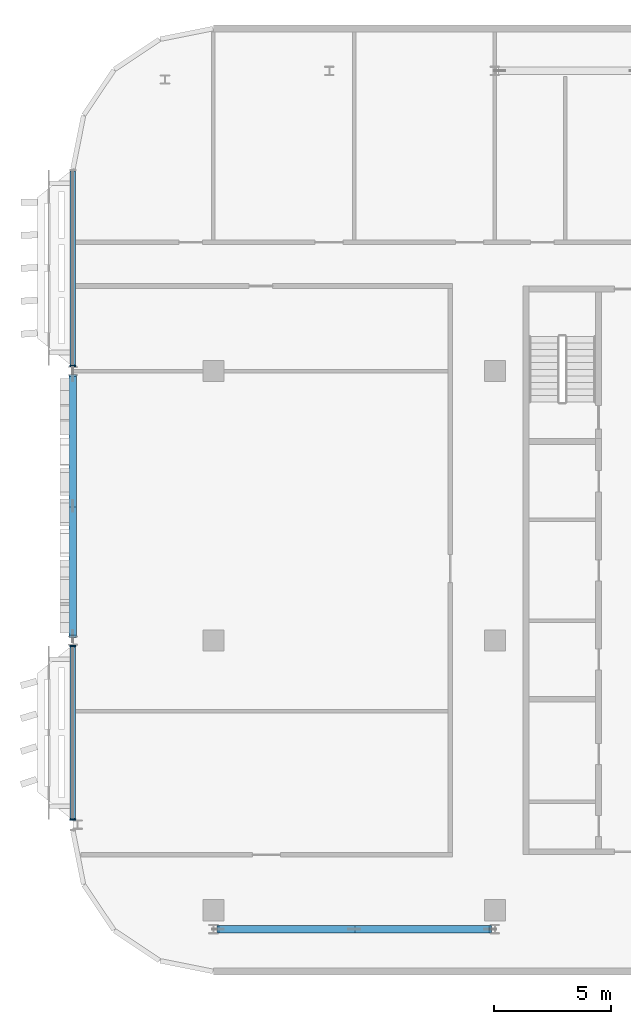
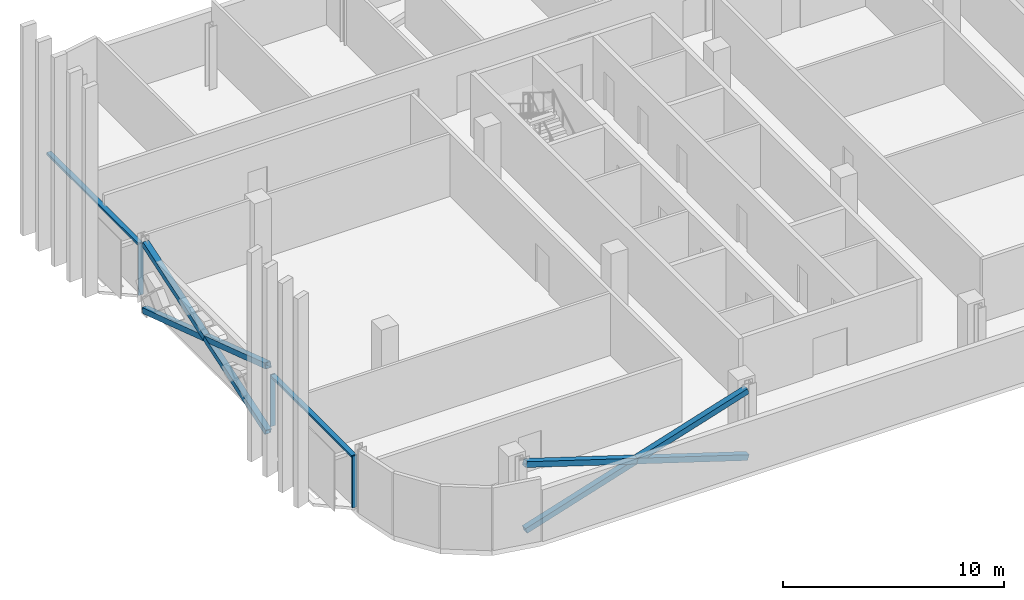
# One storey, part 5 of 30: 11 members, 2 elements without a shape of their own.
"""IFC4 building model written with IfcOpenShell, lengths in metres."""

from ifc_helpers import new_model, si_unit, direction, frame, origin, origin_2d, place, context, subcontext, project, spatial, rectangle, hollow_rectangle, extrude, material, material_profile, profile_set, type_object, element, aggregate, save


model = new_model("IFC4")

# Units and contexts
model_context = context("Model", 3, precision=1e-05, world=origin(), true_north=direction((0.0, 1.0)))
body_context = subcontext(model_context, "Body", "Model", "MODEL_VIEW")
ifc_project = project(units=[si_unit("LENGTHUNIT", "METRE"), si_unit("AREAUNIT", "SQUARE_METRE"), si_unit("VOLUMEUNIT", "CUBIC_METRE"), si_unit("PLANEANGLEUNIT", "RADIAN"), si_unit("MASSUNIT", "GRAM", prefix="KILO")], contexts=[model_context])

# Site, building, storey
site_placement = place(None, origin())
site = spatial("IfcSite", under=ifc_project, at=site_placement, CompositionType="ELEMENT")
building_placement = place(site_placement, origin())
building = spatial("IfcBuilding", under=site, at=building_placement, Name="Mahtab Terrace Research Tower", CompositionType="ELEMENT")
storey_placement = place(building_placement, frame((0.0, 0.0, 263.300048828125)))
storey = spatial("IfcBuildingStorey", under=building, at=storey_placement, Name="L64", CompositionType="ELEMENT", Elevation=263.300048828125)

# Members
ifc_material_1 = material(Name="Steel ASTM A500 Gr C", Category="steel")
ifc_material_profile_1 = material_profile(ifc_material_1, hollow_rectangle(XDim=0.3046875, YDim=0.3046875, WallThickness=0.015869140625, at=origin_2d()), Name="HSS12X12X5/8")
ifc_profile_set_1 = profile_set([ifc_material_profile_1], Name="Steel ASTM A500 Gr C")
member_type_1 = type_object("IfcMemberType", Name="HSS 12x12x5/8 brace XB121258", PredefinedType="BRACE", material=ifc_profile_set_1)
member_1_placement = place(storey_placement, frame((-48.0, 11.31201171875, -0.58154296875), z_axis=(0.0, -0.949505289695, 0.313751023651), x_axis=(1.0, 0.0, 0.0)))
element("IfcMember", 1, at=member_1_placement, inside=storey, type_object=member_type_1, Name="Exoskeleton brace L64 11 a", PredefinedType="BRACE", context=body_context, shape_type="SweptSolid", body=[
    extrude(hollow_rectangle(XDim=0.3046875, YDim=0.3046875, WallThickness=0.015869140625, at=origin_2d()), origin(), (0.0, 0.0, 1.0), 11.715576171875),
])
for number, where, z_axis, x_axis, name in (
    (2, (-48.0, 0.18798828125, -0.58154296875), (0.0, 0.949505289695, 0.313751023651), (-1.0, 0.0, 0.0), "Exoskeleton brace L64 11 b1"),
    (3, (-48.0, 5.75, 1.25634765625), (0.0, 0.949505289695, 0.313751023651), (-1.0, 0.0, 0.0), "Exoskeleton brace L64 11 b2"),
):
    element("IfcMember", number, at=place(storey_placement, frame(where, z_axis=z_axis, x_axis=x_axis)), inside=storey, type_object=member_type_1, Name=name, PredefinedType="BRACE", context=body_context, shape_type="SweptSolid", body=[
        extrude(hollow_rectangle(XDim=0.3046875, YDim=0.3046875, WallThickness=0.015869140625, at=origin_2d()), origin(), (0.0, 0.0, 1.0), 5.85791015625),
    ])
member_2_placement = place(storey_placement, frame((-41.80322265625, -12.306884765625, -0.581298828125), z_axis=(0.953344149173, 0.0, 0.301885629399), x_axis=(0.0, 1.0, 0.0)))
element("IfcMember", 4, at=member_2_placement, inside=storey, type_object=member_type_1, Name="Exoskeleton brace L64 14 a", PredefinedType="BRACE", context=body_context, shape_type="SweptSolid", body=[
    extrude(hollow_rectangle(XDim=0.3046875, YDim=0.3046875, WallThickness=0.015869140625, at=origin_2d()), origin(), (0.0, 0.0, 1.0), 12.174560546875),
])
for number, where, z_axis, x_axis, name in (
    (5, (-30.19677734375, -12.306884765625, -0.581298828125), (-0.953344149173, 0.0, 0.301885629399), (0.0, -1.0, 0.0), "Exoskeleton brace L64 14 b1"),
    (6, (-36.0, -12.306884765625, 1.25634765625), (-0.953344149173, 0.0, 0.301885629399), (0.0, -1.0, 0.0), "Exoskeleton brace L64 14 b2"),
):
    element("IfcMember", number, at=place(storey_placement, frame(where, z_axis=z_axis, x_axis=x_axis)), inside=storey, type_object=member_type_1, Name=name, PredefinedType="BRACE", context=body_context, shape_type="SweptSolid", body=[
        extrude(hollow_rectangle(XDim=0.3046875, YDim=0.3046875, WallThickness=0.015869140625, at=origin_2d()), origin(), (0.0, 0.0, 1.0), 6.087158203125),
    ])

# Curtain wall, member
ifc_material_2 = material(Name="Sky lounge full-height curtain wall")
curtain_wall_type = type_object("IfcCurtainWallType", Name="Sky lounge full-height curtain wall", PredefinedType="NOTDEFINED", material=ifc_material_2)
curtain_wall_1_placement = place(storey_placement, origin())
curtain_wall_1 = element("IfcCurtainWall", 7, at=curtain_wall_1_placement, inside=storey, type_object=curtain_wall_type, Name="EN.L64.8.8", PredefinedType="NOTDEFINED")
ifc_material_3 = material(Name="Natural anodised aluminium", Category="aluminium")
ifc_material_profile_2 = material_profile(ifc_material_3, rectangle(XDim=0.25, YDim=0.070068359375, at=origin_2d()), Name="MULLION 70x250")
ifc_profile_set_2 = profile_set([ifc_material_profile_2], Name="Natural anodised aluminium")
member_type_2 = type_object("IfcMemberType", Name="Sky lounge full-height curtain wall mullion", PredefinedType="MULLION", material=ifc_profile_set_2)
member_3_placement = place(storey_placement, frame((-48.0, 11.722900390625, 0.0), z_axis=(0.0, 0.0, 1.0), x_axis=(1.0, 0.0, 0.0)))
member_3 = element("IfcMember", 8, at=member_3_placement, type_object=member_type_2, Name="CWS-8 mullion 2", PredefinedType="MULLION", context=body_context, shape_type="SweptSolid", body=[
    extrude(rectangle(XDim=0.25, YDim=0.070068359375, at=origin_2d()), origin(), (0.0, 0.0, 1.0), 2.852783203125),
])

# Curtain wall, members
curtain_wall_2_placement = place(storey_placement, origin())
curtain_wall_2 = element("IfcCurtainWall", 9, at=curtain_wall_2_placement, inside=storey, type_object=curtain_wall_type, Name="EN.L64.8.10", PredefinedType="NOTDEFINED")
member_4_placement = place(storey_placement, frame((-48.0, -0.222900390625, 0.0), z_axis=(0.0, 0.0, 1.0), x_axis=(1.0, 0.0, 0.0)))
member_4 = element("IfcMember", 10, at=member_4_placement, type_object=member_type_2, Name="CWS-8 mullion 1", PredefinedType="MULLION", context=body_context, shape_type="SweptSolid", body=[
    extrude(rectangle(XDim=0.25, YDim=0.070068359375, at=origin_2d()), origin(), (0.0, 0.0, 1.0), 2.852783203125),
])
member_5_placement = place(storey_placement, frame((-48.0, -7.625, 0.0), z_axis=(0.0, 0.0, 1.0), x_axis=(1.0, 0.0, 0.0)))
member_5 = element("IfcMember", 11, at=member_5_placement, type_object=member_type_2, Name="CWS-8 mullion 2", PredefinedType="MULLION", context=body_context, shape_type="SweptSolid", body=[
    extrude(rectangle(XDim=0.25, YDim=0.070068359375, at=origin_2d()), origin(), (0.0, 0.0, 1.0), 2.852783203125),
])

# Member
ifc_material_profile_3 = material_profile(ifc_material_3, rectangle(XDim=0.25, YDim=0.1201171875, at=origin_2d()), Name="TRANSOM 120x250")
ifc_profile_set_3 = profile_set([ifc_material_profile_3], Name="Natural anodised aluminium")
member_type_3 = type_object("IfcMemberType", Name="Sky lounge full-height curtain wall transom", PredefinedType="USERDEFINED", material=ifc_profile_set_3)
member_6_placement = place(storey_placement, frame((-48.0, 20.0419921875, 2.79296875), z_axis=(0.0, -1.0, 0.0), x_axis=(1.0, 0.0, 0.0)))
member_6 = element("IfcMember", 12, at=member_6_placement, type_object=member_type_3, Name="CWS-8 transom 1", ObjectType="TRANSOM", PredefinedType="USERDEFINED", context=body_context, shape_type="SweptSolid", body=[
    extrude(rectangle(XDim=0.25, YDim=0.1201171875, at=origin_2d()), origin(), (0.0, 0.0, 1.0), 8.283935546875),
])

aggregate(curtain_wall_1, [member_3, member_6])

member_7_placement = place(storey_placement, frame((-48.0, -0.258056640625, 2.79296875), z_axis=(0.0, -1.0, 0.0), x_axis=(1.0, 0.0, 0.0)))
member_7 = element("IfcMember", 13, at=member_7_placement, type_object=member_type_3, Name="CWS-8 transom 1", ObjectType="TRANSOM", PredefinedType="USERDEFINED", context=body_context, shape_type="SweptSolid", body=[
    extrude(rectangle(XDim=0.25, YDim=0.1201171875, at=origin_2d()), origin(), (0.0, 0.0, 1.0), 7.33203125),
])

aggregate(curtain_wall_2, [member_4, member_5, member_7])

save(model, "model.ifc")
